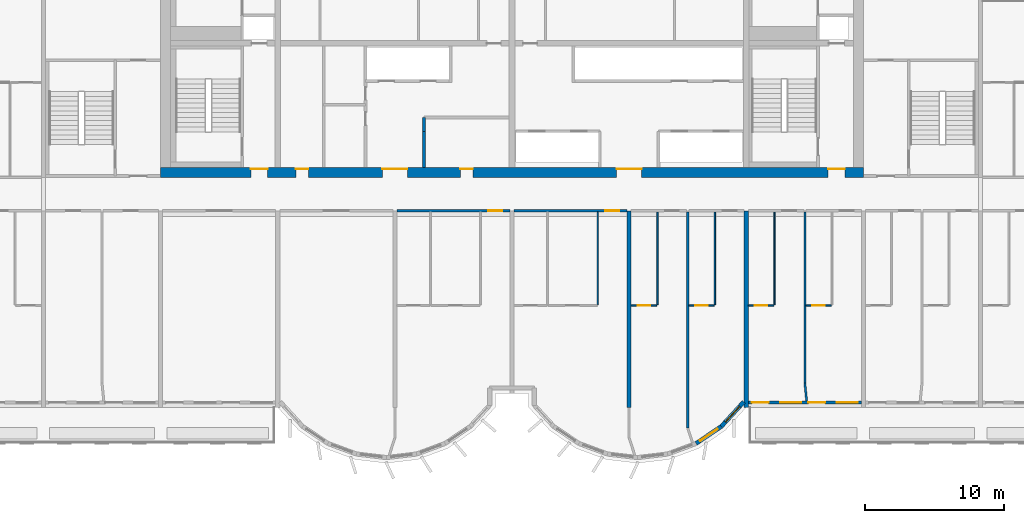
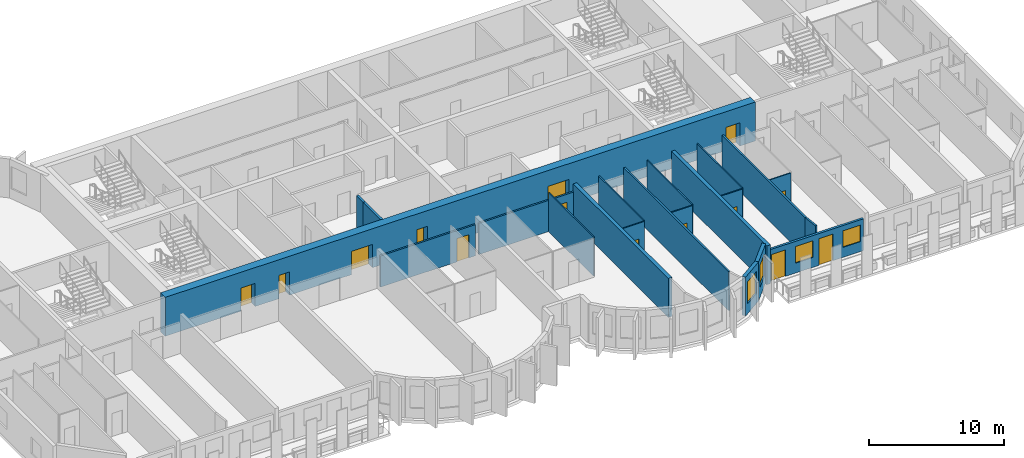
# One storey, part 5 of 13: 21 walls, 14 doors, 4 windows, 18 openings.
"""IFC4 building model written with IfcOpenShell, lengths in metres."""

from ifc_helpers import new_model, si_unit, direction, frame, frame_2d, origin, place, context, subcontext, project, spatial, rectangle, extrude, source, transform, mapped, material, layer, layer_set, type_object, element, fill, save


model = new_model("IFC4")

# Units and contexts
model_context = context("Model", 3, precision=1e-05, world=origin(), true_north=direction((0.0, 1.0)))
body_context = subcontext(model_context, "Body", "Model", "MODEL_VIEW")
ifc_project = project(units=[si_unit("LENGTHUNIT", "METRE"), si_unit("AREAUNIT", "SQUARE_METRE"), si_unit("VOLUMEUNIT", "CUBIC_METRE"), si_unit("PLANEANGLEUNIT", "RADIAN"), si_unit("MASSUNIT", "GRAM", prefix="KILO")], contexts=[model_context])

# Site, building, storey
site_placement = place(None, origin())
site = spatial("IfcSite", under=ifc_project, at=site_placement, CompositionType="ELEMENT")
building_placement = place(site_placement, origin())
building = spatial("IfcBuilding", under=site, at=building_placement, Name="Vanashikhar Sky Hotel", CompositionType="ELEMENT")
storey_placement = place(building_placement, frame((0.0, 0.0, 193.39990234375)))
storey = spatial("IfcBuildingStorey", under=building, at=storey_placement, Name="L47", CompositionType="ELEMENT", Elevation=193.39990234375)

# Wall, openings, doors
ifc_material_1 = material(Name="Concrete M60", Category="concrete")
ifc_layer_1 = layer(ifc_material_1, 0.699951171875)
ifc_layer_set_1 = layer_set([ifc_layer_1], Name="RC core shell wall 700 Concrete M60")
wall_type_1 = type_object("IfcWallType", Name="RC core shell wall 700 Concrete M60", PredefinedType="SHEAR", material=ifc_layer_set_1)
shared_shape_1 = source(origin(), body_context, "Body", "SweptSolid", [
    extrude(rectangle(XDim=50.400146484375, YDim=0.699951171875, at=frame_2d((25.2001953125, 0.0))), origin(), (0.0, 0.0, 1.0), 3.52001953125),
])
wall_1_placement = place(storey_placement, frame((25.199951171875, 22.35009765625, 0.0), z_axis=(0.0, 0.0, 1.0), x_axis=(1.0, 0.0, 0.0)))
wall_1 = element("IfcWall", 1, at=wall_1_placement, inside=storey, type_object=wall_type_1, Name="KW-L47-KS", PredefinedType="SHEAR", context=body_context, shape_type="MappedRepresentation", body=[
    mapped(shared_shape_1, transform((0.0, 0.0, 0.0), scale=1.0)),
])
shared_shape_2 = source(origin(), body_context, "Body", "SweptSolid", [
    extrude(rectangle(XDim=1.800048828125, YDim=2.10009765625, at=frame_2d((0.89990234375, 1.050048828125))), frame((0.0, 0.35986328125, 0.0), z_axis=(0.0, -1.0, 0.0), x_axis=(1.0, 0.0, 0.0)), (0.0, 0.0, 1.0), 0.719970703125),
])
opening_1_placement = place(wall_1_placement, frame((15.89990234375, 0.0, 0.0)))
opening_1 = element("IfcOpeningElement", 2, at=opening_1_placement, cuts=wall_1, Name="Opening DC-3-A", PredefinedType="OPENING", context=body_context, shape_type="MappedRepresentation", body=[
    mapped(shared_shape_2, transform((0.0, 0.0, 0.0), scale=1.0)),
])
shared_shape_3 = source(origin(), body_context, "Body", "SweptSolid", [
    extrude(rectangle(XDim=0.89990234375, YDim=2.10009765625, at=frame_2d((0.449951171875, 1.050048828125))), frame((0.0, 0.35986328125, 0.0), z_axis=(0.0, -1.0, 0.0), x_axis=(1.0, 0.0, 0.0)), (0.0, 0.0, 1.0), 0.719970703125),
])
opening_2_placement = place(wall_1_placement, frame((9.699951171875, 0.0, 0.0)))
opening_2 = element("IfcOpeningElement", 3, at=opening_2_placement, cuts=wall_1, Name="Opening DC-4-A", PredefinedType="OPENING", context=body_context, shape_type="MappedRepresentation", body=[
    mapped(shared_shape_3, transform((0.0, 0.0, 0.0), scale=1.0)),
])
opening_3_placement = place(wall_1_placement, frame((21.5, 0.0, 0.0)))
opening_3 = element("IfcOpeningElement", 4, at=opening_3_placement, cuts=wall_1, Name="Opening DC-4-A", PredefinedType="OPENING", context=body_context, shape_type="MappedRepresentation", body=[
    mapped(shared_shape_3, transform((0.0, 0.0, 0.0), scale=1.0)),
])
opening_4_placement = place(wall_1_placement, frame((32.699951171875, 0.0, 0.0)))
opening_4 = element("IfcOpeningElement", 5, at=opening_4_placement, cuts=wall_1, Name="Opening DC-3-A", PredefinedType="OPENING", context=body_context, shape_type="MappedRepresentation", body=[
    mapped(shared_shape_2, transform((0.0, 0.0, 0.0), scale=1.0)),
])
shared_shape_4 = source(origin(), body_context, "Body", "SweptSolid", [
    extrude(rectangle(XDim=1.199951171875, YDim=2.10009765625, at=frame_2d((0.60009765625, 1.050048828125))), frame((0.0, 0.35986328125, 0.0), z_axis=(0.0, -1.0, 0.0), x_axis=(1.0, 0.0, 0.0)), (0.0, 0.0, 1.0), 0.719970703125),
])
opening_5_placement = place(wall_1_placement, frame((6.47509765625, 0.0, 0.0)))
opening_5 = element("IfcOpeningElement", 6, at=opening_5_placement, cuts=wall_1, Name="Opening DC-2", PredefinedType="OPENING", context=body_context, shape_type="MappedRepresentation", body=[
    mapped(shared_shape_4, transform((0.0, 0.0, 0.0), scale=1.0)),
])
opening_6_placement = place(wall_1_placement, frame((47.875, 0.0, 0.0)))
opening_6 = element("IfcOpeningElement", 7, at=opening_6_placement, cuts=wall_1, Name="Opening DC-2", PredefinedType="OPENING", context=body_context, shape_type="MappedRepresentation", body=[
    mapped(shared_shape_4, transform((0.0, 0.0, 0.0), scale=1.0)),
])
ifc_material_2 = material(Name="Glass", Category="glass")
door_type_1 = type_object("IfcDoorType", Name="Lift lobby entrance door 1800 FD30S", OperationType="NOTDEFINED", PredefinedType="DOOR", material=ifc_material_2)
shared_shape_5 = source(origin(), body_context, "Body", "SweptSolid", [
    extrude(rectangle(XDim=1.800048828125, YDim=2.10009765625, at=frame_2d((0.89990234375, 1.050048828125))), frame((0.0, 0.27490234375, 0.0), z_axis=(0.0, -1.0, 0.0), x_axis=(1.0, 0.0, 0.0)), (0.0, 0.0, 1.0), 0.050048828125),
])
door_1_placement = place(opening_1_placement, origin())
door_1 = element("IfcDoor", 8, at=door_1_placement, inside=storey, type_object=door_type_1, Name="Lift lobby entrance door 1800 FD30S", OperationType="DOUBLE_DOOR_SINGLE_SWING", OverallHeight=2.10009765625, OverallWidth=1.800048828125, PredefinedType="DOOR", context=body_context, shape_type="MappedRepresentation", body=[
    mapped(shared_shape_5, transform((0.0, 0.0, 0.0), scale=1.0)),
])
fill(opening_1, door_1)
door_2_placement = place(opening_4_placement, origin())
door_2 = element("IfcDoor", 9, at=door_2_placement, inside=storey, type_object=door_type_1, Name="Lift lobby entrance door 1800 FD30S", OperationType="DOUBLE_DOOR_SINGLE_SWING", OverallHeight=2.10009765625, OverallWidth=1.800048828125, PredefinedType="DOOR", context=body_context, shape_type="MappedRepresentation", body=[
    mapped(shared_shape_5, transform((0.0, 0.0, 0.0), scale=1.0)),
])
fill(opening_4, door_2)
ifc_material_3 = material(Name="Steel", Category="steel")
door_type_2 = type_object("IfcDoorType", Name="Firefighting lobby door 1200 FD120", OperationType="NOTDEFINED", PredefinedType="DOOR", material=ifc_material_3)
shared_shape_6 = source(origin(), body_context, "Body", "SweptSolid", [
    extrude(rectangle(XDim=1.199951171875, YDim=2.10009765625, at=frame_2d((0.60009765625, 1.050048828125))), frame((0.0, 0.27490234375, 0.0), z_axis=(0.0, -1.0, 0.0), x_axis=(1.0, 0.0, 0.0)), (0.0, 0.0, 1.0), 0.050048828125),
])
door_3_placement = place(opening_5_placement, origin())
door_3 = element("IfcDoor", 10, at=door_3_placement, inside=storey, type_object=door_type_2, Name="Firefighting lobby door 1200 FD120", OperationType="SINGLE_SWING_RIGHT", OverallHeight=2.10009765625, OverallWidth=1.199951171875, PredefinedType="DOOR", context=body_context, shape_type="MappedRepresentation", body=[
    mapped(shared_shape_6, transform((0.0, 0.0, 0.0), scale=1.0)),
])
fill(opening_5, door_3)
door_4_placement = place(opening_6_placement, origin())
door_4 = element("IfcDoor", 11, at=door_4_placement, inside=storey, type_object=door_type_2, Name="Firefighting lobby door 1200 FD120", OperationType="SINGLE_SWING_RIGHT", OverallHeight=2.10009765625, OverallWidth=1.199951171875, PredefinedType="DOOR", context=body_context, shape_type="MappedRepresentation", body=[
    mapped(shared_shape_6, transform((0.0, 0.0, 0.0), scale=1.0)),
])
fill(opening_6, door_4)
door_type_3 = type_object("IfcDoorType", Name="Service door 900 FD60", OperationType="NOTDEFINED", PredefinedType="DOOR", material=ifc_material_3)
shared_shape_7 = source(origin(), body_context, "Body", "SweptSolid", [
    extrude(rectangle(XDim=0.89990234375, YDim=2.10009765625, at=frame_2d((0.449951171875, 1.050048828125))), frame((0.0, 0.27490234375, 0.0), z_axis=(0.0, -1.0, 0.0), x_axis=(1.0, 0.0, 0.0)), (0.0, 0.0, 1.0), 0.050048828125),
])
door_5_placement = place(opening_2_placement, origin())
door_5 = element("IfcDoor", 12, at=door_5_placement, inside=storey, type_object=door_type_3, Name="Service door 900 FD60", OperationType="SINGLE_SWING_LEFT", OverallHeight=2.10009765625, OverallWidth=0.89990234375, PredefinedType="DOOR", context=body_context, shape_type="MappedRepresentation", body=[
    mapped(shared_shape_7, transform((0.0, 0.0, 0.0), scale=1.0)),
])
fill(opening_2, door_5)
door_6_placement = place(opening_3_placement, origin())
door_6 = element("IfcDoor", 13, at=door_6_placement, inside=storey, type_object=door_type_3, Name="Service door 900 FD60", OperationType="SINGLE_SWING_RIGHT", OverallHeight=2.10009765625, OverallWidth=0.89990234375, PredefinedType="DOOR", context=body_context, shape_type="MappedRepresentation", body=[
    mapped(shared_shape_7, transform((0.0, 0.0, 0.0), scale=1.0)),
])
fill(opening_3, door_6)

# Walls
ifc_layer_2 = layer(ifc_material_1, 0.300048828125)
ifc_layer_set_2 = layer_set([ifc_layer_2], Name="RC shear wall 300 Concrete M60")
wall_type_2 = type_object("IfcWallType", Name="RC shear wall 300 Concrete M60", PredefinedType="SHEAR", material=ifc_layer_set_2)
shared_shape_8 = source(origin(), body_context, "Body", "SweptSolid", [
    extrude(rectangle(XDim=14.10009765625, YDim=0.300048828125, at=frame_2d((7.050048828125, 0.0))), origin(), (0.0, 0.0, 1.0), 3.52001953125),
])
for number, where, z_axis, x_axis, name in (
    (14, (58.800048828125, 5.5, 0.0), (0.0, 0.0, 1.0), (0.0, 1.0, 0.0), "CW-L47-XW08-1"),
    (15, (67.199951171875, 5.5, 0.0), (0.0, 0.0, 1.0), (0.0, 1.0, 0.0), "CW-L47-XW09-1"),
):
    element("IfcWall", number, at=place(storey_placement, frame(where, z_axis=z_axis, x_axis=x_axis)), inside=storey, type_object=wall_type_2, Name=name, PredefinedType="SHEAR", context=body_context, shape_type="MappedRepresentation", body=[
        mapped(shared_shape_8, transform((0.0, 0.0, 0.0), scale=1.0)),
    ])

# Wall, opening, window
ifc_material_4 = material(Name="Concrete M50", Category="concrete")
ifc_layer_3 = layer(ifc_material_4, 0.300048828125)
ifc_layer_set_3 = layer_set([ifc_layer_3], Name="Lobe wall 300")
wall_type_3 = type_object("IfcWallType", Name="Lobe wall 300", PredefinedType="SOLIDWALL", material=ifc_layer_set_3)
shared_shape_9 = source(origin(), body_context, "Body", "SweptSolid", [
    extrude(rectangle(XDim=2.398193359375, YDim=0.300048828125, at=frame_2d((1.19921875, 0.0))), origin(), (0.0, 0.0, 1.0), 3.52001953125),
])
wall_2_placement = place(storey_placement, frame((65.404296875, 4.13134765625, 0.0), z_axis=(0.0, 0.0, 1.0), x_axis=(0.675374189419, 0.737475222815, 0.0)))
wall_2 = element("IfcWall", 16, at=wall_2_placement, inside=storey, type_object=wall_type_3, Name="Lobe wall", PredefinedType="SOLIDWALL", context=body_context, shape_type="MappedRepresentation", body=[
    mapped(shared_shape_9, transform((0.0, 0.0, 0.0), scale=1.0)),
])
shared_shape_10 = source(origin(), body_context, "Body", "SweptSolid", [
    extrude(rectangle(XDim=1.5, YDim=2.0, at=frame_2d((0.75, 1.0))), frame((0.0, 0.16015625, 0.0), z_axis=(0.0, -1.0, 0.0), x_axis=(1.0, 0.0, 0.0)), (0.0, 0.0, 1.0), 0.320068359375),
])
opening_7_placement = place(wall_2_placement, frame((0.44921875, 0.0, 0.89990234375)))
opening_7 = element("IfcOpeningElement", 17, at=opening_7_placement, cuts=wall_2, Name="Opening WN-2", PredefinedType="OPENING", context=body_context, shape_type="MappedRepresentation", body=[
    mapped(shared_shape_10, transform((0.0, 0.0, 0.0), scale=1.0)),
])
window_type_1 = type_object("IfcWindowType", Name="Lobe window 1500 x 2000", PartitioningType="SINGLE_PANEL", PredefinedType="WINDOW", material=ifc_material_2)
shared_shape_11 = source(origin(), body_context, "Body", "SweptSolid", [
    extrude(rectangle(XDim=1.5, YDim=2.0, at=frame_2d((0.75, 1.0))), frame((0.0, 0.030029296875, 0.0), z_axis=(0.0, -1.0, 0.0), x_axis=(1.0, 0.0, 0.0)), (0.0, 0.0, 1.0), 0.06005859375),
])
window_1_placement = place(opening_7_placement, origin())
window_1 = element("IfcWindow", 18, at=window_1_placement, inside=storey, type_object=window_type_1, Name="Window WN-2", OverallHeight=2.0, OverallWidth=1.5, PartitioningType="SINGLE_PANEL", PredefinedType="WINDOW", context=body_context, shape_type="MappedRepresentation", body=[
    mapped(shared_shape_11, transform((0.0, 0.0, 0.0), scale=1.0)),
])
fill(opening_7, window_1)

shared_shape_12 = source(origin(), body_context, "Body", "SweptSolid", [
    extrude(rectangle(XDim=2.17578125, YDim=0.300048828125, at=frame_2d((1.087890625, 0.0))), origin(), (0.0, 0.0, 1.0), 3.52001953125),
])
wall_3_placement = place(storey_placement, frame((63.59912109375, 2.91650390625, 0.0), z_axis=(0.0, 0.0, 1.0), x_axis=(0.829625727223, 0.558319937607, 0.0)))
wall_3 = element("IfcWall", 19, at=wall_3_placement, inside=storey, type_object=wall_type_3, Name="Lobe wall", PredefinedType="SOLIDWALL", context=body_context, shape_type="MappedRepresentation", body=[
    mapped(shared_shape_12, transform((0.0, 0.0, 0.0), scale=1.0)),
])
opening_8_placement = place(wall_3_placement, frame((0.337890625, 0.0, 0.89990234375)))
opening_8 = element("IfcOpeningElement", 20, at=opening_8_placement, cuts=wall_3, Name="Opening WN-2", PredefinedType="OPENING", context=body_context, shape_type="MappedRepresentation", body=[
    mapped(shared_shape_10, transform((0.0, 0.0, 0.0), scale=1.0)),
])
window_2_placement = place(opening_8_placement, origin())
window_2 = element("IfcWindow", 21, at=window_2_placement, inside=storey, type_object=window_type_1, Name="Window WN-2", OverallHeight=2.0, OverallWidth=1.5, PartitioningType="SINGLE_PANEL", PredefinedType="WINDOW", context=body_context, shape_type="MappedRepresentation", body=[
    mapped(shared_shape_11, transform((0.0, 0.0, 0.0), scale=1.0)),
])
fill(opening_8, window_2)

# Wall, openings, windows, doors
ifc_layer_4 = layer(ifc_material_4, 0.199951171875)
ifc_layer_set_4 = layer_set([ifc_layer_4], Name="Front window wall 200")
wall_type_4 = type_object("IfcWallType", Name="Front window wall 200", PredefinedType="SOLIDWALL", material=ifc_layer_set_4)
shared_shape_13 = source(origin(), body_context, "Body", "SweptSolid", [
    extrude(rectangle(XDim=8.099853515625, YDim=0.199951171875, at=frame_2d((4.0498046875, 0.0))), origin(), (0.0, 0.0, 1.0), 2.8701171875),
])
wall_4_placement = place(storey_placement, frame((67.35009765625, 5.85009765625, 0.0), z_axis=(0.0, 0.0, 1.0), x_axis=(1.0, 0.0, 0.0)))
wall_4 = element("IfcWall", 22, at=wall_4_placement, inside=storey, type_object=wall_type_4, Name="Front window wall", PredefinedType="SOLIDWALL", context=body_context, shape_type="MappedRepresentation", body=[
    mapped(shared_shape_13, transform((0.0, 0.0, 0.0), scale=1.0)),
])
shared_shape_14 = source(origin(), body_context, "Body", "SweptSolid", [
    extrude(rectangle(XDim=1.199951171875, YDim=2.39990234375, at=frame_2d((0.60009765625, 1.199951171875))), frame((0.0, 0.10986328125, 0.0), z_axis=(0.0, -1.0, 0.0), x_axis=(1.0, 0.0, 0.0)), (0.0, 0.0, 1.0), 0.219970703125),
])
opening_9_placement = place(wall_4_placement, frame((0.25, 0.0, 0.0)))
opening_9 = element("IfcOpeningElement", 23, at=opening_9_placement, cuts=wall_4, Name="Opening BD-06", PredefinedType="OPENING", context=body_context, shape_type="MappedRepresentation", body=[
    mapped(shared_shape_14, transform((0.0, 0.0, 0.0), scale=1.0)),
])
shared_shape_15 = source(origin(), body_context, "Body", "SweptSolid", [
    extrude(rectangle(XDim=1.5, YDim=1.5, at=frame_2d((0.75, 0.75))), frame((0.0, 0.10986328125, 0.0), z_axis=(0.0, -1.0, 0.0), x_axis=(1.0, 0.0, 0.0)), (0.0, 0.0, 1.0), 0.219970703125),
])
opening_10_placement = place(wall_4_placement, frame((2.300048828125, 0.0, 0.89990234375)))
opening_10 = element("IfcOpeningElement", 24, at=opening_10_placement, cuts=wall_4, Name="Opening WN-1", PredefinedType="OPENING", context=body_context, shape_type="MappedRepresentation", body=[
    mapped(shared_shape_15, transform((0.0, 0.0, 0.0), scale=1.0)),
])
opening_11_placement = place(wall_4_placement, frame((4.300048828125, 0.0, 0.0)))
opening_11 = element("IfcOpeningElement", 25, at=opening_11_placement, cuts=wall_4, Name="Opening BD-07", PredefinedType="OPENING", context=body_context, shape_type="MappedRepresentation", body=[
    mapped(shared_shape_14, transform((0.0, 0.0, 0.0), scale=1.0)),
])
opening_12_placement = place(wall_4_placement, frame((6.35009765625, 0.0, 0.89990234375)))
opening_12 = element("IfcOpeningElement", 26, at=opening_12_placement, cuts=wall_4, Name="Opening WN-1", PredefinedType="OPENING", context=body_context, shape_type="MappedRepresentation", body=[
    mapped(shared_shape_15, transform((0.0, 0.0, 0.0), scale=1.0)),
])
window_type_2 = type_object("IfcWindowType", Name="Window 1500 x 1500", PartitioningType="SINGLE_PANEL", PredefinedType="WINDOW", material=ifc_material_2)
shared_shape_16 = source(origin(), body_context, "Body", "SweptSolid", [
    extrude(rectangle(XDim=1.5, YDim=1.5, at=frame_2d((0.75, 0.75))), frame((0.0, 0.030029296875, 0.0), z_axis=(0.0, -1.0, 0.0), x_axis=(1.0, 0.0, 0.0)), (0.0, 0.0, 1.0), 0.06005859375),
])
window_3_placement = place(opening_10_placement, origin())
window_3 = element("IfcWindow", 27, at=window_3_placement, inside=storey, type_object=window_type_2, Name="Window WN-1", OverallHeight=1.5, OverallWidth=1.5, PartitioningType="SINGLE_PANEL", PredefinedType="WINDOW", context=body_context, shape_type="MappedRepresentation", body=[
    mapped(shared_shape_16, transform((0.0, 0.0, 0.0), scale=1.0)),
])
fill(opening_10, window_3)
window_4_placement = place(opening_12_placement, origin())
window_4 = element("IfcWindow", 28, at=window_4_placement, inside=storey, type_object=window_type_2, Name="Window WN-1", OverallHeight=1.5, OverallWidth=1.5, PartitioningType="SINGLE_PANEL", PredefinedType="WINDOW", context=body_context, shape_type="MappedRepresentation", body=[
    mapped(shared_shape_16, transform((0.0, 0.0, 0.0), scale=1.0)),
])
fill(opening_12, window_4)
ifc_material_5 = material(Name="Aluminium", Category="aluminium")
door_type_4 = type_object("IfcDoorType", Name="Balcony sliding door 1200 x 2400", OperationType="NOTDEFINED", PredefinedType="DOOR", material=ifc_material_5)
shared_shape_17 = source(origin(), body_context, "Body", "SweptSolid", [
    extrude(rectangle(XDim=1.199951171875, YDim=2.39990234375, at=frame_2d((0.60009765625, 1.199951171875))), frame((0.0, 0.02490234375, 0.0), z_axis=(0.0, -1.0, 0.0), x_axis=(1.0, 0.0, 0.0)), (0.0, 0.0, 1.0), 0.050048828125),
])
door_7_placement = place(opening_9_placement, origin())
door_7 = element("IfcDoor", 29, at=door_7_placement, inside=storey, type_object=door_type_4, Name="Balcony sliding door", OperationType="SLIDING_TO_RIGHT", OverallHeight=2.39990234375, OverallWidth=1.199951171875, PredefinedType="DOOR", context=body_context, shape_type="MappedRepresentation", body=[
    mapped(shared_shape_17, transform((0.0, 0.0, 0.0), scale=1.0)),
])
fill(opening_9, door_7)
door_8_placement = place(opening_11_placement, origin())
door_8 = element("IfcDoor", 30, at=door_8_placement, inside=storey, type_object=door_type_4, Name="Balcony sliding door", OperationType="SLIDING_TO_LEFT", OverallHeight=2.39990234375, OverallWidth=1.199951171875, PredefinedType="DOOR", context=body_context, shape_type="MappedRepresentation", body=[
    mapped(shared_shape_17, transform((0.0, 0.0, 0.0), scale=1.0)),
])
fill(opening_11, door_8)

# Walls
ifc_material_6 = material(Name="Gypsum board partition")
ifc_layer_5 = layer(ifc_material_6, 0.14990234375)
ifc_layer_set_5 = layer_set([ifc_layer_5], Name="Service partition 150")
wall_type_5 = type_object("IfcWallType", Name="Service partition 150", PredefinedType="PARTITIONING", material=ifc_layer_set_5)
shared_shape_18 = source(origin(), body_context, "Body", "SweptSolid", [
    extrude(rectangle(XDim=2.60009765625, YDim=0.199951171875, at=frame_2d((1.300048828125, 0.0))), origin(), (0.0, 0.0, 1.0), 3.52001953125),
])
wall_5_placement = place(storey_placement, frame((44.10009765625, 22.699951171875, 0.0), z_axis=(0.0, 0.0, 1.0), x_axis=(0.0, 1.0, 0.0)))
element("IfcWall", 31, at=wall_5_placement, inside=storey, type_object=wall_type_5, Name="Service partition 150", PredefinedType="PARTITIONING", context=body_context, shape_type="MappedRepresentation", body=[
    mapped(shared_shape_18, transform((0.0, 0.0, 0.0), scale=1.0)),
])
shared_shape_19 = source(origin(), body_context, "Body", "SweptSolid", [
    extrude(rectangle(XDim=1.0, YDim=0.199951171875, at=frame_2d((0.5, 0.0))), origin(), (0.0, 0.0, 1.0), 3.52001953125),
])
wall_6_placement = place(storey_placement, frame((44.10009765625, 25.300048828125, 0.0), z_axis=(0.0, 0.0, 1.0), x_axis=(0.0, 1.0, 0.0)))
element("IfcWall", 32, at=wall_6_placement, inside=storey, type_object=wall_type_5, Name="Service partition 150", PredefinedType="PARTITIONING", context=body_context, shape_type="MappedRepresentation", body=[
    mapped(shared_shape_19, transform((0.0, 0.0, 0.0), scale=1.0)),
])

# Wall, opening, door
ifc_material_7 = material(Name="Gypsum plasterboard partition")
ifc_layer_6 = layer(ifc_material_7, 0.10009765625)
ifc_layer_set_6 = layer_set([ifc_layer_6], Name="Wet room partition 100")
wall_type_6 = type_object("IfcWallType", Name="Wet room partition 100", PredefinedType="PARTITIONING", material=ifc_layer_set_6)
shared_shape_20 = source(origin(), body_context, "Body", "SweptSolid", [
    extrude(rectangle(XDim=1.824951171875, YDim=0.10009765625, at=frame_2d((0.91259765625, 0.0))), origin(), (0.0, 0.0, 1.0), 3.52001953125),
])
wall_7_placement = place(storey_placement, frame((58.949951171875, 12.800048828125, 0.0), z_axis=(0.0, 0.0, 1.0), x_axis=(1.0, 0.0, 0.0)))
wall_7 = element("IfcWall", 33, at=wall_7_placement, inside=storey, type_object=wall_type_6, Name="W-L47-PW024", PredefinedType="PARTITIONING", context=body_context, shape_type="MappedRepresentation", body=[
    mapped(shared_shape_20, transform((0.0, 0.0, 0.0), scale=1.0)),
])
shared_shape_21 = source(origin(), body_context, "Body", "SweptSolid", [
    extrude(rectangle(XDim=0.89990234375, YDim=2.10009765625, at=frame_2d((0.449951171875, 1.050048828125))), frame((0.0, 0.06005859375, 0.0), z_axis=(0.0, -1.0, 0.0), x_axis=(1.0, 0.0, 0.0)), (0.0, 0.0, 1.0), 0.1201171875),
])
opening_13_placement = place(wall_7_placement, frame((0.4619140625, 0.0, 0.0)))
opening_13 = element("IfcOpeningElement", 34, at=opening_13_placement, cuts=wall_7, Name="Opening D-02", PredefinedType="OPENING", context=body_context, shape_type="MappedRepresentation", body=[
    mapped(shared_shape_21, transform((0.0, 0.0, 0.0), scale=1.0)),
])
ifc_material_8 = material(Name="Timber door", Category="wood")
door_type_5 = type_object("IfcDoorType", Name="Internal door 900", OperationType="NOTDEFINED", PredefinedType="DOOR", material=ifc_material_8)
shared_shape_22 = source(origin(), body_context, "Body", "SweptSolid", [
    extrude(rectangle(XDim=0.89990234375, YDim=2.10009765625, at=frame_2d((0.449951171875, 1.050048828125))), frame((0.0, 0.02490234375, 0.0), z_axis=(0.0, -1.0, 0.0), x_axis=(1.0, 0.0, 0.0)), (0.0, 0.0, 1.0), 0.050048828125),
])
door_9_placement = place(opening_13_placement, origin())
door_9 = element("IfcDoor", 35, at=door_9_placement, inside=storey, type_object=door_type_5, Name="D-L47-015", OperationType="SINGLE_SWING_RIGHT", OverallHeight=2.10009765625, OverallWidth=0.89990234375, PredefinedType="DOOR", context=body_context, shape_type="MappedRepresentation", body=[
    mapped(shared_shape_22, transform((0.0, 0.0, 0.0), scale=1.0)),
])
fill(opening_13, door_9)

wall_8_placement = place(storey_placement, frame((63.074951171875, 12.800048828125, 0.0), z_axis=(0.0, 0.0, 1.0), x_axis=(1.0, 0.0, 0.0)))
wall_8 = element("IfcWall", 36, at=wall_8_placement, inside=storey, type_object=wall_type_6, Name="W-L47-PW027", PredefinedType="PARTITIONING", context=body_context, shape_type="MappedRepresentation", body=[
    mapped(shared_shape_20, transform((0.0, 0.0, 0.0), scale=1.0)),
])
opening_14_placement = place(wall_8_placement, frame((0.4619140625, 0.0, 0.0)))
opening_14 = element("IfcOpeningElement", 37, at=opening_14_placement, cuts=wall_8, Name="Opening D-02", PredefinedType="OPENING", context=body_context, shape_type="MappedRepresentation", body=[
    mapped(shared_shape_21, transform((0.0, 0.0, 0.0), scale=1.0)),
])
door_10_placement = place(opening_14_placement, origin())
door_10 = element("IfcDoor", 38, at=door_10_placement, inside=storey, type_object=door_type_5, Name="D-L47-017", OperationType="SINGLE_SWING_RIGHT", OverallHeight=2.10009765625, OverallWidth=0.89990234375, PredefinedType="DOOR", context=body_context, shape_type="MappedRepresentation", body=[
    mapped(shared_shape_22, transform((0.0, 0.0, 0.0), scale=1.0)),
])
fill(opening_14, door_10)

wall_9_placement = place(storey_placement, frame((67.35009765625, 12.800048828125, 0.0), z_axis=(0.0, 0.0, 1.0), x_axis=(1.0, 0.0, 0.0)))
wall_9 = element("IfcWall", 39, at=wall_9_placement, inside=storey, type_object=wall_type_6, Name="W-L47-PW031", PredefinedType="PARTITIONING", context=body_context, shape_type="MappedRepresentation", body=[
    mapped(shared_shape_20, transform((0.0, 0.0, 0.0), scale=1.0)),
])
opening_15_placement = place(wall_9_placement, frame((0.462890625, 0.0, 0.0)))
opening_15 = element("IfcOpeningElement", 40, at=opening_15_placement, cuts=wall_9, Name="Opening D-02", PredefinedType="OPENING", context=body_context, shape_type="MappedRepresentation", body=[
    mapped(shared_shape_21, transform((0.0, 0.0, 0.0), scale=1.0)),
])
door_11_placement = place(opening_15_placement, origin())
door_11 = element("IfcDoor", 41, at=door_11_placement, inside=storey, type_object=door_type_5, Name="D-L47-019", OperationType="SINGLE_SWING_RIGHT", OverallHeight=2.10009765625, OverallWidth=0.89990234375, PredefinedType="DOOR", context=body_context, shape_type="MappedRepresentation", body=[
    mapped(shared_shape_22, transform((0.0, 0.0, 0.0), scale=1.0)),
])
fill(opening_15, door_11)

wall_10_placement = place(storey_placement, frame((71.47509765625, 12.800048828125, 0.0), z_axis=(0.0, 0.0, 1.0), x_axis=(1.0, 0.0, 0.0)))
wall_10 = element("IfcWall", 42, at=wall_10_placement, inside=storey, type_object=wall_type_6, Name="W-L47-PW034", PredefinedType="PARTITIONING", context=body_context, shape_type="MappedRepresentation", body=[
    mapped(shared_shape_20, transform((0.0, 0.0, 0.0), scale=1.0)),
])
opening_16_placement = place(wall_10_placement, frame((0.462890625, 0.0, 0.0)))
opening_16 = element("IfcOpeningElement", 43, at=opening_16_placement, cuts=wall_10, Name="Opening D-02", PredefinedType="OPENING", context=body_context, shape_type="MappedRepresentation", body=[
    mapped(shared_shape_21, transform((0.0, 0.0, 0.0), scale=1.0)),
])
door_12_placement = place(opening_16_placement, origin())
door_12 = element("IfcDoor", 44, at=door_12_placement, inside=storey, type_object=door_type_5, Name="D-L47-021", OperationType="SINGLE_SWING_RIGHT", OverallHeight=2.10009765625, OverallWidth=0.89990234375, PredefinedType="DOOR", context=body_context, shape_type="MappedRepresentation", body=[
    mapped(shared_shape_22, transform((0.0, 0.0, 0.0), scale=1.0)),
])
fill(opening_16, door_12)

# Walls
shared_shape_23 = source(origin(), body_context, "Body", "SweptSolid", [
    extrude(rectangle(XDim=6.64990234375, YDim=0.10009765625, at=frame_2d((3.324951171875, 0.0))), origin(), (0.0, 0.0, 1.0), 3.52001953125),
])
for number, where, z_axis, x_axis, name in (
    (45, (56.550048828125, 12.875, 0.0), (0.0, 0.0, 1.0), (0.0, 1.0, 0.0), "W-L47-PW018"),
    (46, (60.824951171875, 12.875, 0.0), (0.0, 0.0, 1.0), (0.0, 1.0, 0.0), "W-L47-PW023"),
    (47, (64.949951171875, 12.875, 0.0), (0.0, 0.0, 1.0), (0.0, 1.0, 0.0), "W-L47-PW026"),
    (48, (69.22509765625, 12.875, 0.0), (0.0, 0.0, 1.0), (0.0, 1.0, 0.0), "W-L47-PW030"),
):
    element("IfcWall", number, at=place(storey_placement, frame(where, z_axis=z_axis, x_axis=x_axis)), inside=storey, type_object=wall_type_6, Name=name, PredefinedType="PARTITIONING", context=body_context, shape_type="MappedRepresentation", body=[
        mapped(shared_shape_23, transform((0.0, 0.0, 0.0), scale=1.0)),
    ])
ifc_layer_7 = layer(ifc_material_7, 0.14990234375)
ifc_layer_set_7 = layer_set([ifc_layer_7], Name="Corridor and demising partition 150")
wall_type_7 = type_object("IfcWallType", Name="Corridor and demising partition 150", PredefinedType="PARTITIONING", material=ifc_layer_set_7)
shared_shape_24 = source(origin(), body_context, "Body", "SweptSolid", [
    extrude(rectangle(XDim=12.27490234375, YDim=0.14990234375, at=frame_2d((6.137451171875, 0.0))), origin(), (0.0, 0.0, 1.0), 3.52001953125),
])
wall_11_placement = place(storey_placement, frame((71.39990234375, 7.25, 0.0), z_axis=(0.0, 0.0, 1.0), x_axis=(0.0, 1.0, 0.0)))
element("IfcWall", 49, at=wall_11_placement, inside=storey, type_object=wall_type_7, Name="W-L47-PW036", PredefinedType="PARTITIONING", context=body_context, shape_type="MappedRepresentation", body=[
    mapped(shared_shape_24, transform((0.0, 0.0, 0.0), scale=1.0)),
])
shared_shape_25 = source(origin(), body_context, "Body", "SweptSolid", [
    extrude(rectangle(XDim=15.497802734375, YDim=0.14990234375, at=frame_2d((7.7490234375, 0.0))), origin(), (0.0, 0.0, 1.0), 3.52001953125),
])
wall_12_placement = place(storey_placement, frame((63.0, 4.027099609375, 0.0), z_axis=(0.0, 0.0, 1.0), x_axis=(0.0, 1.0, 0.0)))
element("IfcWall", 50, at=wall_12_placement, inside=storey, type_object=wall_type_7, Name="W-L47-PW029", PredefinedType="PARTITIONING", context=body_context, shape_type="MappedRepresentation", body=[
    mapped(shared_shape_25, transform((0.0, 0.0, 0.0), scale=1.0)),
])
shared_shape_26 = source(origin(), body_context, "Body", "SweptSolid", [
    extrude(rectangle(XDim=1.306640625, YDim=0.14990234375, at=frame_2d((0.6533203125, 0.0))), origin(), (0.0, 0.0, 1.0), 3.52001953125),
])
wall_13_placement = place(storey_placement, frame((71.530029296875, 5.949951171875, 0.0), z_axis=(0.0, 0.0, 1.0), x_axis=(-0.099596223396, 0.99502793543, 0.0)))
element("IfcWall", 51, at=wall_13_placement, inside=storey, type_object=wall_type_7, Name="W-L47-PW036B0", PredefinedType="PARTITIONING", context=body_context, shape_type="MappedRepresentation", body=[
    mapped(shared_shape_26, transform((0.0, 0.0, 0.0), scale=1.0)),
])

# Wall, opening, door
shared_shape_27 = source(origin(), body_context, "Body", "SweptSolid", [
    extrude(rectangle(XDim=8.10009765625, YDim=0.14990234375, at=frame_2d((4.050048828125, 0.0))), origin(), (0.0, 0.0, 1.0), 2.820068359375),
])
wall_14_placement = place(storey_placement, frame((42.14990234375, 19.60009765625, 0.0), z_axis=(0.0, 0.0, 1.0), x_axis=(1.0, 0.0, 0.0)))
wall_14 = element("IfcWall", 52, at=wall_14_placement, inside=storey, type_object=wall_type_7, Name="W-L47-PW017", PredefinedType="PARTITIONING", context=body_context, shape_type="MappedRepresentation", body=[
    mapped(shared_shape_27, transform((0.0, 0.0, 0.0), scale=1.0)),
])
shared_shape_28 = source(origin(), body_context, "Body", "SweptSolid", [
    extrude(rectangle(XDim=1.0, YDim=2.10009765625, at=frame_2d((0.5, 1.050048828125))), frame((0.0, 0.0849609375, 0.0), z_axis=(0.0, -1.0, 0.0), x_axis=(1.0, 0.0, 0.0)), (0.0, 0.0, 1.0), 0.169921875),
])
opening_17_placement = place(wall_14_placement, frame((6.550048828125, 0.0, 0.0)))
opening_17 = element("IfcOpeningElement", 53, at=opening_17_placement, cuts=wall_14, Name="Opening D-01", PredefinedType="OPENING", context=body_context, shape_type="MappedRepresentation", body=[
    mapped(shared_shape_28, transform((0.0, 0.0, 0.0), scale=1.0)),
])
ifc_material_9 = material(Name="Timber fire door", Category="wood")
door_type_6 = type_object("IfcDoorType", Name="Guest entry door 1000 FD30S", OperationType="NOTDEFINED", PredefinedType="DOOR", material=ifc_material_9)
shared_shape_29 = source(origin(), body_context, "Body", "SweptSolid", [
    extrude(rectangle(XDim=1.0, YDim=2.10009765625, at=frame_2d((0.5, 1.050048828125))), frame((0.0, 0.02490234375, 0.0), z_axis=(0.0, -1.0, 0.0), x_axis=(1.0, 0.0, 0.0)), (0.0, 0.0, 1.0), 0.050048828125),
])
door_13_placement = place(opening_17_placement, origin())
door_13 = element("IfcDoor", 54, at=door_13_placement, inside=storey, type_object=door_type_6, Name="D-L47-011", OperationType="SINGLE_SWING_RIGHT", OverallHeight=2.10009765625, OverallWidth=1.0, PredefinedType="DOOR", context=body_context, shape_type="MappedRepresentation", body=[
    mapped(shared_shape_29, transform((0.0, 0.0, 0.0), scale=1.0)),
])
fill(opening_17, door_13)

shared_shape_30 = source(origin(), body_context, "Body", "SweptSolid", [
    extrude(rectangle(XDim=8.099853515625, YDim=0.14990234375, at=frame_2d((4.0498046875, 0.0))), origin(), (0.0, 0.0, 1.0), 2.820068359375),
])
wall_15_placement = place(storey_placement, frame((50.550048828125, 19.60009765625, 0.0), z_axis=(0.0, 0.0, 1.0), x_axis=(1.0, 0.0, 0.0)))
wall_15 = element("IfcWall", 55, at=wall_15_placement, inside=storey, type_object=wall_type_7, Name="W-L47-PW022", PredefinedType="PARTITIONING", context=body_context, shape_type="MappedRepresentation", body=[
    mapped(shared_shape_30, transform((0.0, 0.0, 0.0), scale=1.0)),
])
opening_18_placement = place(wall_15_placement, frame((6.550048828125, 0.0, 0.0)))
opening_18 = element("IfcOpeningElement", 56, at=opening_18_placement, cuts=wall_15, Name="Opening D-01", PredefinedType="OPENING", context=body_context, shape_type="MappedRepresentation", body=[
    mapped(shared_shape_28, transform((0.0, 0.0, 0.0), scale=1.0)),
])
door_14_placement = place(opening_18_placement, origin())
door_14 = element("IfcDoor", 57, at=door_14_placement, inside=storey, type_object=door_type_6, Name="D-L47-014", OperationType="SINGLE_SWING_RIGHT", OverallHeight=2.10009765625, OverallWidth=1.0, PredefinedType="DOOR", context=body_context, shape_type="MappedRepresentation", body=[
    mapped(shared_shape_29, transform((0.0, 0.0, 0.0), scale=1.0)),
])
fill(opening_18, door_14)

save(model, "model.ifc")
